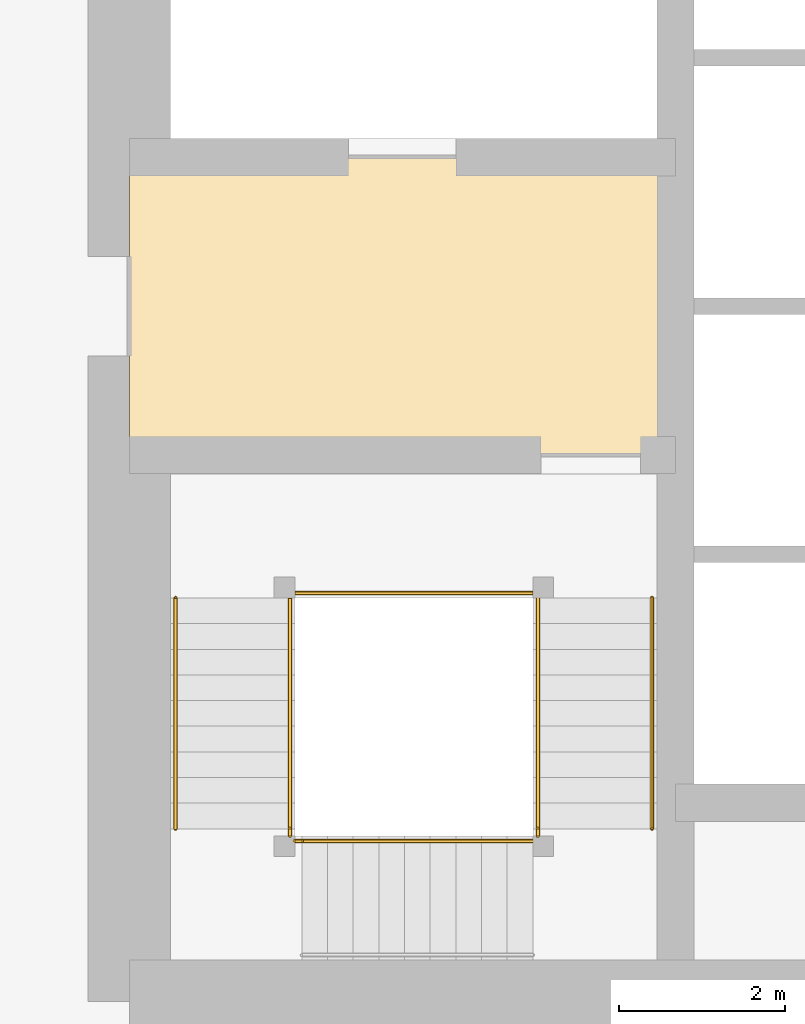
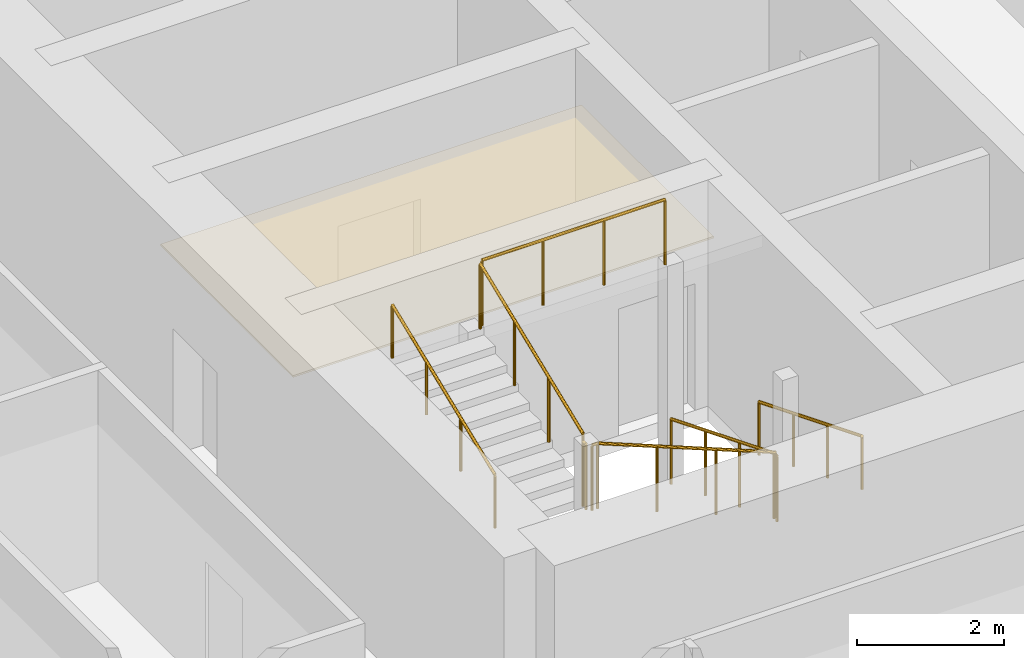
# One storey, part 32 of 40: 9 railings, 1 covering.
"""IFC4 building model written with IfcOpenShell, lengths in metres."""

from ifc_helpers import new_model, si_unit, direction, frame, origin, origin_2d, place, context, subcontext, project, spatial, polyline, circle, outline, extrude, material, layer, layer_set, type_object, element, save


model = new_model("IFC4")

# Units and contexts
model_context = context("Model", 3, precision=1e-05, world=origin(), true_north=direction((0.0, 1.0)))
body_context = subcontext(model_context, "Body", "Model", "MODEL_VIEW")
ifc_project = project(units=[si_unit("LENGTHUNIT", "METRE"), si_unit("AREAUNIT", "SQUARE_METRE"), si_unit("VOLUMEUNIT", "CUBIC_METRE"), si_unit("PLANEANGLEUNIT", "RADIAN"), si_unit("MASSUNIT", "GRAM", prefix="KILO")], contexts=[model_context])

# Site, building, storey
site_placement = place(None, origin())
site = spatial("IfcSite", under=ifc_project, at=site_placement, CompositionType="ELEMENT")
building_placement = place(site_placement, origin())
building = spatial("IfcBuilding", under=site, at=building_placement, Name="Rekha Terrace Tower", CompositionType="ELEMENT")
storey_placement = place(building_placement, frame((0.0, 0.0, 210.199951171875)))
storey = spatial("IfcBuildingStorey", under=building, at=storey_placement, Name="L53", CompositionType="ELEMENT", Elevation=210.199951171875)

# Covering
ifc_material_1 = material(Name="Powder-coated aluminium pan", Category="aluminium")
ifc_layer = layer(ifc_material_1, 0.030029296875)
ifc_layer_set = layer_set([ifc_layer], Name="Powder-coated aluminium pan")
covering_type = type_object("IfcCoveringType", Name="CL3 300x1200 metal pan ceiling", PredefinedType="CEILING", material=ifc_layer_set)
covering_placement = place(storey_placement, frame((0.0, 0.0, 2.570068359375)))
element("IfcCovering", 1, at=covering_placement, inside=storey, type_object=covering_type, Name="Ceiling L53-FLB1", PredefinedType="CEILING", context=body_context, shape_type="SweptSolid", body=[
    extrude(outline(polyline([(31.800048828125, 31.199951171875), (25.199951171875, 31.199951171875), (25.199951171875, 27.60009765625), (31.800048828125, 27.60009765625), (31.800048828125, 31.199951171875)])), origin(), (0.0, 0.0, 1.0), 0.030029296875),
])

# Railings
ifc_material_2 = material(Name="Stainless steel balustrade", Category="steel")
railing_type_1 = type_object("IfcRailingType", Name="GR1 1100 stair guard", PredefinedType="GUARDRAIL", material=ifc_material_2)
railing_1_placement = place(storey_placement, frame((30.135009765625, 25.875, 0.125)))
element("IfcRailing", 2, at=railing_1_placement, inside=storey, type_object=railing_type_1, Name="Guard ST1 L53 flight 1", PredefinedType="GUARDRAIL", context=body_context, shape_type="SweptSolid", body=[
    extrude(circle(Radius=0.02392578125, at=origin_2d()), frame((0.0, 0.0, 1.076171875), z_axis=(0.0, -0.927443287984, 0.373963831907), x_axis=(1.0, 0.0, 0.0)), (0.0, 0.0, 1.0), 3.00830078125),
    extrude(circle(Radius=0.02099609375, at=origin_2d()), origin(), (0.0, 0.0, 1.0), 1.052001953125),
    extrude(circle(Radius=0.02099609375, at=origin_2d()), frame((0.0, -0.929931640625, 0.375)), (0.0, 0.0, 1.0), 1.052001953125),
    extrude(circle(Radius=0.02099609375, at=origin_2d()), frame((0.0, -1.860107421875, 0.75)), (0.0, 0.0, 1.0), 1.052001953125),
    extrude(circle(Radius=0.02099609375, at=origin_2d()), frame((0.0, -2.7900390625, 1.125)), (0.0, 0.0, 1.0), 1.052001953125),
])
railing_2_placement = place(storey_placement, frame((30.074951171875, 22.93994140625, 1.375)))
element("IfcRailing", 3, at=railing_2_placement, inside=storey, type_object=railing_type_1, Name="Guard ST1 L53 flight 2", PredefinedType="GUARDRAIL", context=body_context, shape_type="SweptSolid", body=[
    extrude(circle(Radius=0.02392578125, at=origin_2d()), frame((0.0, 0.0, 1.076171875), z_axis=(-0.927443287984, 0.0, 0.373963831907), x_axis=(0.0, -1.0, 0.0)), (0.0, 0.0, 1.0), 3.00830078125),
    extrude(circle(Radius=0.02099609375, at=origin_2d()), origin(), (0.0, 0.0, 1.0), 1.052001953125),
    extrude(circle(Radius=0.02099609375, at=origin_2d()), frame((-0.929931640625, 0.0, 0.375)), (0.0, 0.0, 1.0), 1.052001953125),
    extrude(circle(Radius=0.02099609375, at=origin_2d()), frame((-1.860107421875, 0.0, 0.75)), (0.0, 0.0, 1.0), 1.052001953125),
    extrude(circle(Radius=0.02099609375, at=origin_2d()), frame((-2.7900390625, 0.0, 1.125)), (0.0, 0.0, 1.0), 1.052001953125),
])
railing_3_placement = place(storey_placement, frame((27.139892578125, 23.0849609375, 2.625)))
element("IfcRailing", 4, at=railing_3_placement, inside=storey, type_object=railing_type_1, Name="Guard ST1 L53 flight 3", PredefinedType="GUARDRAIL", context=body_context, shape_type="SweptSolid", body=[
    extrude(circle(Radius=0.02392578125, at=origin_2d()), frame((0.0, 0.0, 1.076171875), z_axis=(0.0, 0.927443287984, 0.373963831907), x_axis=(-1.0, 0.0, 0.0)), (0.0, 0.0, 1.0), 3.00830078125),
    extrude(circle(Radius=0.02099609375, at=origin_2d()), origin(), (0.0, 0.0, 1.0), 1.052001953125),
    extrude(circle(Radius=0.02099609375, at=origin_2d()), frame((0.0, 0.929931640625, 0.375)), (0.0, 0.0, 1.0), 1.052001953125),
    extrude(circle(Radius=0.02099609375, at=origin_2d()), frame((0.0, 1.860107421875, 0.75)), (0.0, 0.0, 1.0), 1.052001953125),
    extrude(circle(Radius=0.02099609375, at=origin_2d()), frame((0.0, 2.7900390625, 1.125)), (0.0, 0.0, 1.0), 1.052001953125),
])
railing_4_placement = place(storey_placement, frame((30.135009765625, 23.0849609375, 1.25)))
element("IfcRailing", 5, at=railing_4_placement, inside=storey, type_object=railing_type_1, Name="Guard ST1 L53 landing 1", PredefinedType="GUARDRAIL", context=body_context, shape_type="SweptSolid", body=[
    extrude(circle(Radius=0.02392578125, at=origin_2d()), frame((0.0, 0.0, 1.076171875), z_axis=(0.0, -1.0, 0.0), x_axis=(1.0, 0.0, 0.0)), (0.0, 0.0, 1.0), 0.0849609375),
    extrude(circle(Radius=0.02099609375, at=origin_2d()), origin(), (0.0, 0.0, 1.0), 1.052001953125),
    extrude(circle(Radius=0.02099609375, at=origin_2d()), frame((0.0, -0.0849609375, 0.0)), (0.0, 0.0, 1.0), 1.052001953125),
])
railing_5_placement = place(storey_placement, frame((27.284912109375, 22.93994140625, 2.5)))
element("IfcRailing", 6, at=railing_5_placement, inside=storey, type_object=railing_type_1, Name="Guard ST1 L53 landing 2", PredefinedType="GUARDRAIL", context=body_context, shape_type="SweptSolid", body=[
    extrude(circle(Radius=0.02392578125, at=origin_2d()), frame((0.0, 0.0, 1.076171875), z_axis=(-1.0, 0.0, 0.0), x_axis=(0.0, -1.0, 0.0)), (0.0, 0.0, 1.0), 0.0849609375),
    extrude(circle(Radius=0.02099609375, at=origin_2d()), origin(), (0.0, 0.0, 1.0), 1.052001953125),
    extrude(circle(Radius=0.02099609375, at=origin_2d()), frame((-0.0849609375, 0.0, 0.0)), (0.0, 0.0, 1.0), 1.052001953125),
])
railing_6_placement = place(storey_placement, frame((27.139892578125, 23.0849609375, 2.5)))
element("IfcRailing", 7, at=railing_6_placement, inside=storey, type_object=railing_type_1, Name="Guard ST1 L53 landing 3", PredefinedType="GUARDRAIL", context=body_context, shape_type="SweptSolid", body=[
    extrude(circle(Radius=0.02392578125, at=origin_2d()), frame((0.0, 0.0, 1.076171875), z_axis=(0.0, -1.0, 0.0), x_axis=(1.0, 0.0, 0.0)), (0.0, 0.0, 1.0), 0.0849609375),
    extrude(circle(Radius=0.02099609375, at=origin_2d()), origin(), (0.0, 0.0, 1.0), 1.052001953125),
    extrude(circle(Radius=0.02099609375, at=origin_2d()), frame((0.0, -0.0849609375, 0.0)), (0.0, 0.0, 1.0), 1.052001953125),
])
railing_7_placement = place(storey_placement, frame((30.074951171875, 25.93505859375, 3.75)))
element("IfcRailing", 8, at=railing_7_placement, inside=storey, type_object=railing_type_1, Name="Guard ST1 L53 landing 4", PredefinedType="GUARDRAIL", context=body_context, shape_type="SweptSolid", body=[
    extrude(circle(Radius=0.02392578125, at=origin_2d()), frame((0.0, 0.0, 1.076171875), z_axis=(-1.0, 0.0, 0.0), x_axis=(0.0, -1.0, 0.0)), (0.0, 0.0, 1.0), 2.875),
    extrude(circle(Radius=0.02099609375, at=origin_2d()), origin(), (0.0, 0.0, 1.0), 1.052001953125),
    extrude(circle(Radius=0.02099609375, at=origin_2d()), frame((-0.958251953125, 0.0, 0.0)), (0.0, 0.0, 1.0), 1.052001953125),
    extrude(circle(Radius=0.02099609375, at=origin_2d()), frame((-1.916748046875, 0.0, 0.0)), (0.0, 0.0, 1.0), 1.052001953125),
    extrude(circle(Radius=0.02099609375, at=origin_2d()), frame((-2.875, 0.0, 0.0)), (0.0, 0.0, 1.0), 1.052001953125),
])
ifc_material_3 = material(Name="Stainless steel tube", Category="steel")
railing_type_2 = type_object("IfcRailingType", Name="HR1 900 stair handrail", PredefinedType="HANDRAIL", material=ifc_material_3)
railing_8_placement = place(storey_placement, frame((31.514892578125, 25.875, 0.125)))
element("IfcRailing", 9, at=railing_8_placement, inside=storey, type_object=railing_type_2, Name="Handrail ST1 L53 flight 1", PredefinedType="HANDRAIL", context=body_context, shape_type="SweptSolid", body=[
    extrude(circle(Radius=0.02392578125, at=origin_2d()), frame((0.0, 0.0, 0.8759765625), z_axis=(0.0, -0.927443287984, 0.373963831907), x_axis=(1.0, 0.0, 0.0)), (0.0, 0.0, 1.0), 3.00830078125),
    extrude(circle(Radius=0.02099609375, at=origin_2d()), origin(), (0.0, 0.0, 1.0), 0.851806640625),
    extrude(circle(Radius=0.02099609375, at=origin_2d()), frame((0.0, -0.929931640625, 0.375)), (0.0, 0.0, 1.0), 0.851806640625),
    extrude(circle(Radius=0.02099609375, at=origin_2d()), frame((0.0, -1.860107421875, 0.75)), (0.0, 0.0, 1.0), 0.851806640625),
    extrude(circle(Radius=0.02099609375, at=origin_2d()), frame((0.0, -2.7900390625, 1.125)), (0.0, 0.0, 1.0), 0.851806640625),
])
railing_9_placement = place(storey_placement, frame((25.760009765625, 23.0849609375, 2.625)))
element("IfcRailing", 10, at=railing_9_placement, inside=storey, type_object=railing_type_2, Name="Handrail ST1 L53 flight 3", PredefinedType="HANDRAIL", context=body_context, shape_type="SweptSolid", body=[
    extrude(circle(Radius=0.02392578125, at=origin_2d()), frame((0.0, 0.0, 0.8759765625), z_axis=(0.0, 0.927443287984, 0.373963831907), x_axis=(-1.0, 0.0, 0.0)), (0.0, 0.0, 1.0), 3.00830078125),
    extrude(circle(Radius=0.02099609375, at=origin_2d()), origin(), (0.0, 0.0, 1.0), 0.851806640625),
    extrude(circle(Radius=0.02099609375, at=origin_2d()), frame((0.0, 0.929931640625, 0.375)), (0.0, 0.0, 1.0), 0.851806640625),
    extrude(circle(Radius=0.02099609375, at=origin_2d()), frame((0.0, 1.860107421875, 0.75)), (0.0, 0.0, 1.0), 0.851806640625),
    extrude(circle(Radius=0.02099609375, at=origin_2d()), frame((0.0, 2.7900390625, 1.125)), (0.0, 0.0, 1.0), 0.851806640625),
])

save(model, "model.ifc")
